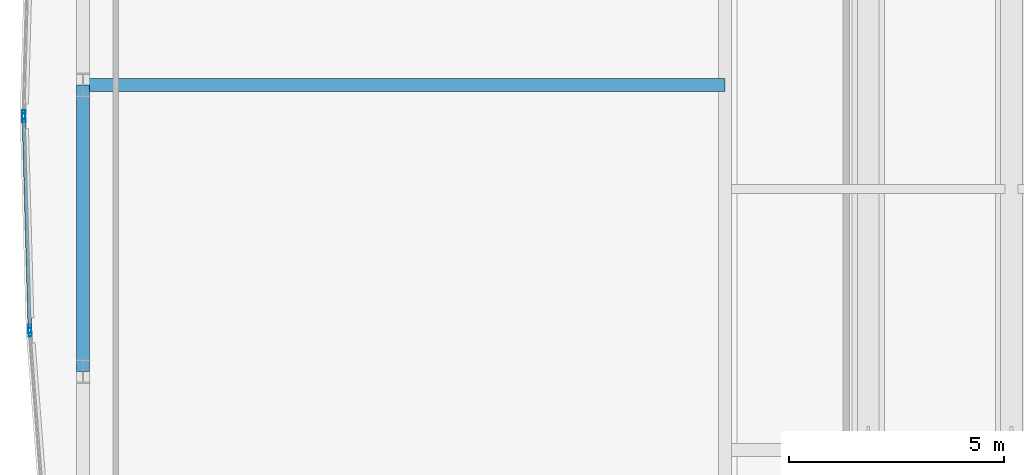
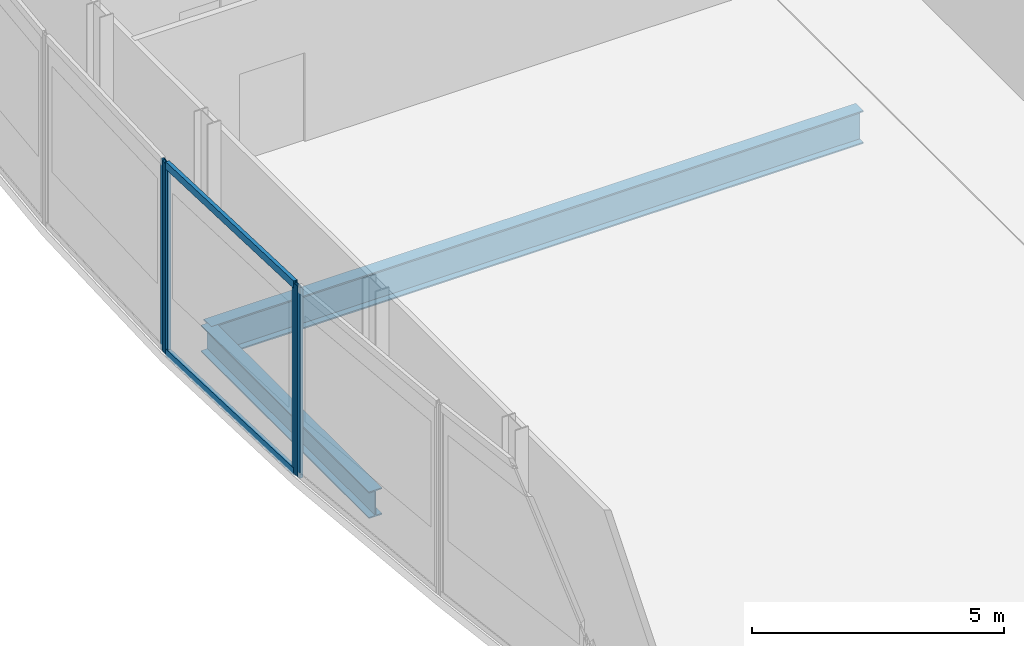
# One storey, part 10 of 32: 6 members, 2 beams, 3 elements without a shape of their own.
"""IFC4 building model written with IfcOpenShell, lengths in metres."""

from ifc_helpers import new_model, si_unit, direction, frame, origin, origin_2d, place, context, subcontext, project, spatial, hollow_rectangle, i_section, extrude, material, material_profile, profile_set, type_object, element, aggregate, save


model = new_model("IFC4")

# Units and contexts
model_context = context("Model", 3, precision=1e-05, world=origin(), true_north=direction((0.0, 1.0)))
body_context = subcontext(model_context, "Body", "Model", "MODEL_VIEW")
ifc_project = project(units=[si_unit("LENGTHUNIT", "METRE"), si_unit("AREAUNIT", "SQUARE_METRE"), si_unit("VOLUMEUNIT", "CUBIC_METRE"), si_unit("PLANEANGLEUNIT", "RADIAN"), si_unit("MASSUNIT", "GRAM", prefix="KILO")], contexts=[model_context])

# Site, building, storey
site_placement = place(None, origin())
site = spatial("IfcSite", under=ifc_project, at=site_placement, CompositionType="ELEMENT")
building_placement = place(site_placement, origin())
building = spatial("IfcBuilding", under=site, at=building_placement, Name="Khoronbel Lancet Exchange", CompositionType="ELEMENT")
storey_placement = place(building_placement, frame((0.0, 0.0, 85.800048828125)))
storey = spatial("IfcBuildingStorey", under=building, at=storey_placement, Name="L20", CompositionType="ELEMENT", Elevation=85.800048828125)

# Beams
ifc_material_1 = material(Name="Steel S355", Category="steel")
ifc_material_profile_1 = material_profile(ifc_material_1, i_section(OverallWidth=0.300048828125, OverallDepth=0.800048828125, WebThickness=0.017578125, FlangeThickness=0.032958984375, at=origin_2d()), Name="HEB 800")
ifc_profile_set_1 = profile_set([ifc_material_profile_1], Name="Steel S355")
beam_type_1 = type_object("IfcBeamType", Name="BM-BG2", PredefinedType="BEAM", material=ifc_profile_set_1)
beam_1_placement = place(storey_placement, frame((3.27001953125, 31.425048828125, -0.6201171875), z_axis=(1.0, 0.0, 0.0), x_axis=(0.0, 1.0, 0.0)))
element("IfcBeam", 1, at=beam_1_placement, inside=storey, type_object=beam_type_1, Name="Level L20 west lens tie girder LG2W", PredefinedType="BEAM", context=body_context, shape_type="SweptSolid", body=[
    extrude(i_section(OverallWidth=0.300048828125, OverallDepth=0.800048828125, WebThickness=0.017578125, FlangeThickness=0.032958984375, at=origin_2d()), origin(), (0.0, 0.0, 1.0), 14.955078125),
])
ifc_material_profile_2 = material_profile(ifc_material_1, i_section(OverallWidth=0.300048828125, OverallDepth=0.64990234375, WebThickness=0.01611328125, FlangeThickness=0.031005859375, at=origin_2d()), Name="HEB 650")
ifc_profile_set_2 = profile_set([ifc_material_profile_2], Name="Steel S355")
beam_type_2 = type_object("IfcBeamType", Name="BM-BSP1", PredefinedType="SPANDREL", material=ifc_profile_set_2)
beam_2_placement = place(storey_placement, frame((3.27001953125, 31.425048828125, -0.545166015625), z_axis=(0.0, -1.0, 0.0), x_axis=(1.0, 0.0, 0.0)))
element("IfcBeam", 2, at=beam_2_placement, inside=storey, type_object=beam_type_2, Name="Level L20 perimeter spandrel beam SP19", PredefinedType="SPANDREL", context=body_context, shape_type="SweptSolid", body=[
    extrude(i_section(OverallWidth=0.300048828125, OverallDepth=0.64990234375, WebThickness=0.01611328125, FlangeThickness=0.031005859375, at=origin_2d()), origin(), (0.0, 0.0, 1.0), 6.675048828125),
])

# Curtain wall, member
ifc_material_2 = material(Name="Low-E Solar Control Insulating Glass", Category="glass")
curtain_wall_type = type_object("IfcCurtainWallType", Name="CW-4", PredefinedType="NOTDEFINED", material=ifc_material_2)
curtain_wall_1_placement = place(storey_placement, origin())
curtain_wall_1 = element("IfcCurtainWall", 3, at=curtain_wall_1_placement, inside=storey, type_object=curtain_wall_type, Name="Unitised curtain wall CW-L20-E05", PredefinedType="NOTDEFINED")
ifc_material_3 = material(Name="Bronze-Anodised Aluminium 6063-T6", Category="aluminium")
ifc_material_profile_3 = material_profile(ifc_material_3, hollow_rectangle(XDim=0.074951171875, YDim=0.199951171875, WallThickness=0.0048828125, at=origin_2d()), Name="ALU MULLION 75x200")
ifc_profile_set_3 = profile_set([ifc_material_profile_3], Name="Bronze-Anodised Aluminium 6063-T6")
member_type_1 = type_object("IfcMemberType", Name="MEM-CWM2", PredefinedType="MULLION", material=ifc_profile_set_3)
member_1_placement = place(storey_placement, frame((2.033447265625, 25.667236328125, 0.0), z_axis=(0.0, 0.0, 1.0), x_axis=(-0.997059882555, -0.076626304874, 0.0)))
member_1 = element("IfcMember", 4, at=member_1_placement, type_object=member_type_1, Name="CW4 mullion 2", PredefinedType="MULLION", context=body_context, shape_type="SweptSolid", body=[
    extrude(hollow_rectangle(XDim=0.074951171875, YDim=0.199951171875, WallThickness=0.0048828125, at=origin_2d()), origin(), (0.0, 0.0, 1.0), 4.619873046875),
])
aggregate(curtain_wall_1, [member_1])

# Curtain wall, members
curtain_wall_2_placement = place(storey_placement, origin())
curtain_wall_2 = element("IfcCurtainWall", 5, at=curtain_wall_2_placement, inside=storey, type_object=curtain_wall_type, Name="Unitised curtain wall CW-L20-E06", PredefinedType="NOTDEFINED")
member_2_placement = place(storey_placement, frame((2.029541015625, 25.7421875, 0.0), z_axis=(0.0, 0.0, 1.0), x_axis=(-0.999604123662, -0.028135315146, 0.0)))
member_2 = element("IfcMember", 6, at=member_2_placement, type_object=member_type_1, Name="CW4 mullion 1", PredefinedType="MULLION", context=body_context, shape_type="SweptSolid", body=[
    extrude(hollow_rectangle(XDim=0.074951171875, YDim=0.199951171875, WallThickness=0.0048828125, at=origin_2d()), origin(), (0.0, 0.0, 1.0), 4.619873046875),
])
member_3_placement = place(storey_placement, frame((1.89111328125, 30.66259765625, 0.0), z_axis=(0.0, 0.0, 1.0), x_axis=(-0.999604123662, -0.028135315146, 0.0)))
member_3 = element("IfcMember", 7, at=member_3_placement, type_object=member_type_1, Name="CW4 mullion 2", PredefinedType="MULLION", context=body_context, shape_type="SweptSolid", body=[
    extrude(hollow_rectangle(XDim=0.074951171875, YDim=0.199951171875, WallThickness=0.0048828125, at=origin_2d()), origin(), (0.0, 0.0, 1.0), 4.619873046875),
])

# Curtain wall, member
curtain_wall_3_placement = place(storey_placement, origin())
curtain_wall_3 = element("IfcCurtainWall", 8, at=curtain_wall_3_placement, inside=storey, type_object=curtain_wall_type, Name="Unitised curtain wall CW-L20-E07", PredefinedType="NOTDEFINED")
member_4_placement = place(storey_placement, frame((1.89111328125, 30.737548828125, 0.0), z_axis=(0.0, 0.0, 1.0), x_axis=(-0.999604123662, 0.028135315146, 0.0)))
member_4 = element("IfcMember", 9, at=member_4_placement, type_object=member_type_1, Name="CW4 mullion 1", PredefinedType="MULLION", context=body_context, shape_type="SweptSolid", body=[
    extrude(hollow_rectangle(XDim=0.074951171875, YDim=0.199951171875, WallThickness=0.0048828125, at=origin_2d()), origin(), (0.0, 0.0, 1.0), 4.619873046875),
])
aggregate(curtain_wall_3, [member_4])

# Member
ifc_material_profile_4 = material_profile(ifc_material_3, hollow_rectangle(XDim=0.0849609375, YDim=0.179931640625, WallThickness=0.0048828125, at=origin_2d()), Name="ALU TRANSOM 85x180")
ifc_profile_set_4 = profile_set([ifc_material_profile_4], Name="Bronze-Anodised Aluminium 6063-T6")
member_type_2 = type_object("IfcMemberType", Name="MEM-CWT1", PredefinedType="USERDEFINED", material=ifc_profile_set_4)
member_5_placement = place(storey_placement, frame((2.028564453125, 25.77978515625, 0.04248046875), z_axis=(-0.02815571823, 0.999603549179, 0.0), x_axis=(-0.999603549179, -0.02815571823, 0.0)))
member_5 = element("IfcMember", 10, at=member_5_placement, type_object=member_type_2, Name="CW4 transom 1.1", ObjectType="TRANSOM", PredefinedType="USERDEFINED", context=body_context, shape_type="SweptSolid", body=[
    extrude(hollow_rectangle(XDim=0.0849609375, YDim=0.179931640625, WallThickness=0.0048828125, at=origin_2d()), origin(), (0.0, 0.0, 1.0), 4.84716796875),
])

member_6_placement = place(storey_placement, frame((2.028564453125, 25.77978515625, 4.577392578125), z_axis=(-0.02815571823, 0.999603549179, 0.0), x_axis=(-0.999603549179, -0.02815571823, 0.0)))
member_6 = element("IfcMember", 11, at=member_6_placement, type_object=member_type_2, Name="CW4 transom 1.2", ObjectType="TRANSOM", PredefinedType="USERDEFINED", context=body_context, shape_type="SweptSolid", body=[
    extrude(hollow_rectangle(XDim=0.0849609375, YDim=0.179931640625, WallThickness=0.0048828125, at=origin_2d()), origin(), (0.0, 0.0, 1.0), 4.84716796875),
])

aggregate(curtain_wall_2, [member_2, member_3, member_5, member_6])

save(model, "model.ifc")
